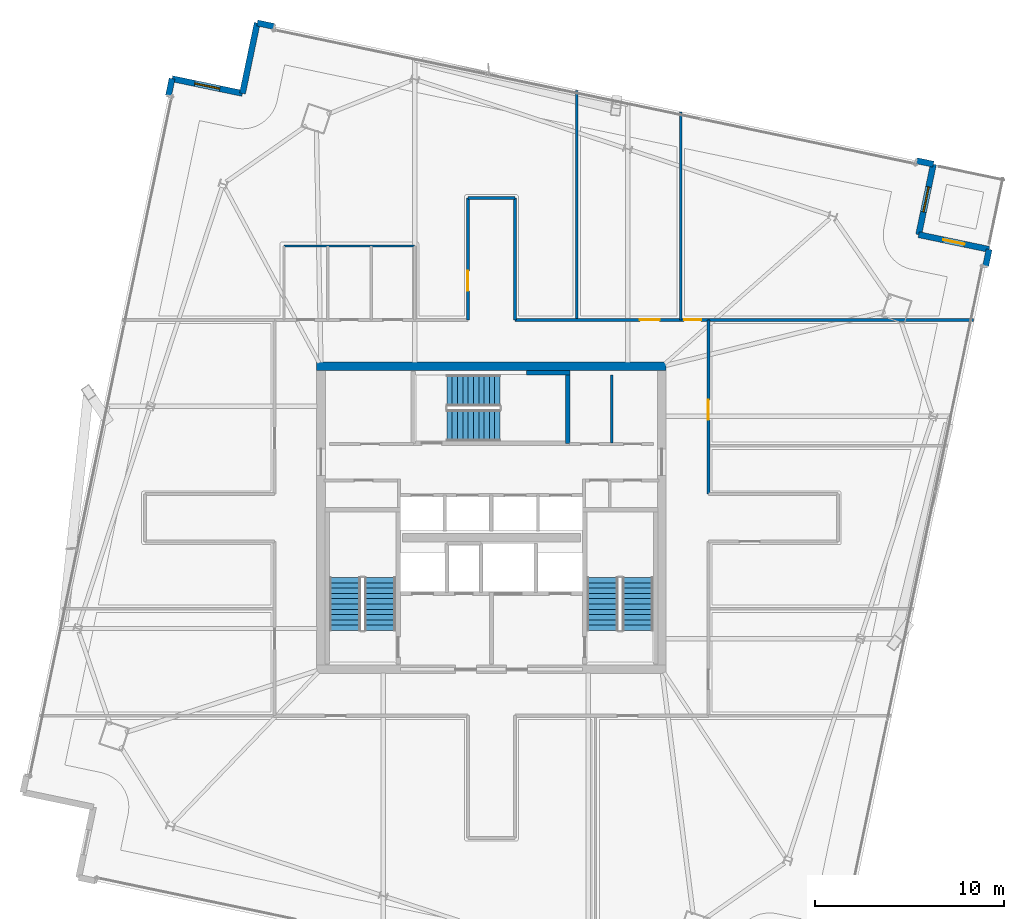
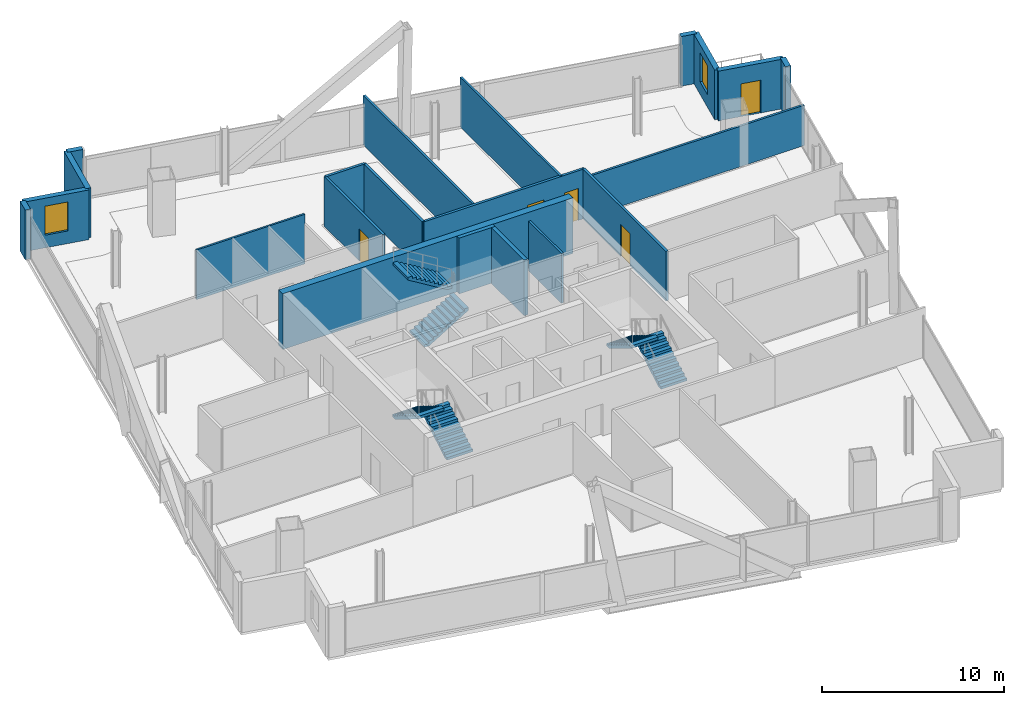
# One storey, part 20 of 24: 21 walls, 6 stair flights, 5 doors, 2 windows, 7 openings, 3 elements without a shape of their own.
"""IFC4 building model written with IfcOpenShell, lengths in metres."""

from ifc_helpers import new_model, si_unit, direction, frame, frame_2d, origin, place, context, subcontext, project, spatial, polyline, rectangle, outline, extrude, material, layer, layer_set, type_object, element, fill, aggregate, save


model = new_model("IFC4")

# Units and contexts
model_context = context("Model", 3, precision=1e-05, world=origin(), true_north=direction((0.0, 1.0)))
body_context = subcontext(model_context, "Body", "Model", "MODEL_VIEW")
ifc_project = project(units=[si_unit("LENGTHUNIT", "METRE"), si_unit("AREAUNIT", "SQUARE_METRE"), si_unit("VOLUMEUNIT", "CUBIC_METRE"), si_unit("PLANEANGLEUNIT", "RADIAN"), si_unit("MASSUNIT", "GRAM", prefix="KILO")], contexts=[model_context])

# Site, building, storey
site_placement = place(None, origin())
site = spatial("IfcSite", under=ifc_project, at=site_placement, CompositionType="ELEMENT")
building_placement = place(site_placement, origin())
building = spatial("IfcBuilding", under=site, at=building_placement, Name="Haldenkirk Collegiate Tower", CompositionType="ELEMENT")
storey_placement = place(building_placement, frame((0.0, 0.0, 289.949951171875)))
storey = spatial("IfcBuildingStorey", under=building, at=storey_placement, Name="L73", CompositionType="ELEMENT", Elevation=289.949951171875)

# Walls
ifc_material_1 = material(Name="Concrete f'c 55 MPa", Category="concrete")
ifc_layer_1 = layer(ifc_material_1, 0.449951171875)
ifc_layer_set_1 = layer_set([ifc_layer_1], Name="Concrete f'c 55 MPa")
wall_type_1 = type_object("IfcWallType", Name="WL-CORE-450", PredefinedType="SHEAR", material=ifc_layer_set_1)
wall_1_placement = place(storey_placement, frame((26.77490234375, 34.0, 0.0), z_axis=(0.0, 0.0, 1.0), x_axis=(1.0, 0.0, 0.0)))
element("IfcWall", 1, at=wall_1_placement, inside=storey, type_object=wall_type_1, Name="L73 central core shear wall N", PredefinedType="SHEAR", context=body_context, shape_type="SweptSolid", body=[
    extrude(rectangle(XDim=18.4501953125, YDim=0.449951171875, at=frame_2d((9.22509765625, 0.0))), origin(), (0.0, 0.0, 1.0), 3.75),
])
ifc_material_2 = material(Name="Precast concrete f'c 40 MPa", Category="concrete")
ifc_layer_2 = layer(ifc_material_2, 0.320068359375)
ifc_layer_set_2 = layer_set([ifc_layer_2], Name="Precast concrete f'c 40 MPa")
wall_type_2 = type_object("IfcWallType", Name="WL-EXT-TWR-320", PredefinedType="STANDARD", material=ifc_layer_set_2)
wall_2_placement = place(storey_placement, frame((62.279296875, 40.175537109375, 0.0), z_axis=(0.0, 0.0, 1.0), x_axis=(-0.204560917907, -0.978853835292, 0.0)))
element("IfcWall", 2, at=wall_2_placement, inside=storey, type_object=wall_type_2, Name="L73 precast corner pier SL", PredefinedType="STANDARD", context=body_context, shape_type="SweptSolid", body=[
    extrude(rectangle(XDim=0.89990234375, YDim=0.320068359375, at=frame_2d((0.449951171875, 0.0))), origin(), (0.0, 0.0, 1.0), 3.340087890625),
])

# Wall, opening, door
wall_3_placement = place(storey_placement, frame((58.5595703125, 40.95263671875, 0.0), z_axis=(0.0, 0.0, 1.0), x_axis=(0.978866954506, -0.204498130493, 0.0)))
wall_3 = element("IfcWall", 3, at=wall_3_placement, inside=storey, type_object=wall_type_2, Name="L73 bronze precast notch wall 02", PredefinedType="STANDARD", context=body_context, shape_type="SweptSolid", body=[
    extrude(rectangle(XDim=3.800048828125, YDim=0.320068359375, at=frame_2d((1.89990234375, 0.0))), origin(), (0.0, 0.0, 1.0), 3.340087890625),
])
opening_1_placement = place(wall_3_placement, frame((1.324951171875, 0.0, 0.0)))
opening_1 = element("IfcOpeningElement", 4, at=opening_1_placement, cuts=wall_3, Name="Opening D-ST11", PredefinedType="OPENING", context=body_context, shape_type="SweptSolid", body=[
    extrude(rectangle(XDim=1.14990234375, YDim=2.199951171875, at=frame_2d((0.574951171875, 1.10009765625))), frame((0.0, 0.169921875, 0.0), z_axis=(0.0, -1.0, 0.0), x_axis=(1.0, 0.0, 0.0)), (0.0, 0.0, 1.0), 0.340087890625),
])
ifc_material_3 = material(Name="Anodised architectural bronze aluminium", Category="aluminium")
ifc_layer_3 = layer(ifc_material_3, 0.080078125)
ifc_layer_set_3 = layer_set([ifc_layer_3], Name="Anodised architectural bronze aluminium")
door_type_1 = type_object("IfcDoorType", Name="DR-EXT-STER-1150", OperationType="NOTDEFINED", PredefinedType="DOOR", material=ifc_layer_set_3)
door_1_placement = place(opening_1_placement, origin())
door_1 = element("IfcDoor", 5, at=door_1_placement, inside=storey, type_object=door_type_1, Name="L73 spiralling terrace door", OperationType="SINGLE_SWING_RIGHT", OverallHeight=2.199951171875, OverallWidth=1.14990234375, PredefinedType="DOOR", context=body_context, shape_type="SweptSolid", body=[
    extrude(rectangle(XDim=1.14990234375, YDim=2.199951171875, at=frame_2d((0.574951171875, 1.10009765625))), frame((0.0, 0.02490234375, 0.0), z_axis=(0.0, -1.0, 0.0), x_axis=(1.0, 0.0, 0.0)), (0.0, 0.0, 1.0), 0.050048828125),
])
fill(opening_1, door_1)

# Wall, opening, window
wall_4_placement = place(storey_placement, frame((59.336669921875, 44.67236328125, 0.0), z_axis=(0.0, 0.0, 1.0), x_axis=(-0.204498130493, -0.978866954506, 0.0)))
wall_4 = element("IfcWall", 6, at=wall_4_placement, inside=storey, type_object=wall_type_2, Name="L73 bronze precast notch wall 03", PredefinedType="STANDARD", context=body_context, shape_type="SweptSolid", body=[
    extrude(rectangle(XDim=3.800048828125, YDim=0.320068359375, at=frame_2d((1.89990234375, 0.0))), origin(), (0.0, 0.0, 1.0), 3.340087890625),
])
opening_2_placement = place(wall_4_placement, frame((1.22509765625, 0.0, 0.85009765625)))
opening_2 = element("IfcOpeningElement", 7, at=opening_2_placement, cuts=wall_4, Name="Opening W-07", PredefinedType="OPENING", context=body_context, shape_type="SweptSolid", body=[
    extrude(rectangle(XDim=1.35009765625, YDim=1.949951171875, at=frame_2d((0.675048828125, 0.97509765625))), frame((0.0, 0.169921875, 0.0), z_axis=(0.0, -1.0, 0.0), x_axis=(1.0, 0.0, 0.0)), (0.0, 0.0, 1.0), 0.340087890625),
])
ifc_material_4 = material(Name="Low-E argon triple insulating glass", Category="glass")
ifc_layer_4 = layer(ifc_material_4, 0.090087890625)
ifc_layer_set_4 = layer_set([ifc_layer_4], Name="Low-E argon triple insulating glass")
window_type = type_object("IfcWindowType", Name="WN-Z5-1350X1950", PartitioningType="SINGLE_PANEL", PredefinedType="WINDOW", material=ifc_layer_set_4)
window_1_placement = place(opening_2_placement, origin())
window_1 = element("IfcWindow", 8, at=window_1_placement, inside=storey, type_object=window_type, Name="L73 precast-frame academic window 2", OverallHeight=1.949951171875, OverallWidth=1.35009765625, PartitioningType="SINGLE_PANEL", PredefinedType="WINDOW", context=body_context, shape_type="SweptSolid", body=[
    extrude(rectangle(XDim=1.35009765625, YDim=1.949951171875, at=frame_2d((0.675048828125, 0.97509765625))), frame((0.0, 0.030029296875, 0.0), z_axis=(0.0, -1.0, 0.0), x_axis=(1.0, 0.0, 0.0)), (0.0, 0.0, 1.0), 0.06005859375),
])
fill(opening_2, window_1)

# Walls
for number, where, z_axis, x_axis, name in (
    (9, (23.63232421875, 52.13134765625, 0.0), (0.0, 0.0, 1.0), (0.978865183405, -0.204506608004, 0.0), "L73 precast corner pier EL"),
    (10, (58.45556640625, 44.8564453125, 0.0), (0.0, 0.0, 1.0), (0.978865183405, -0.204506608004, 0.0), "L73 precast corner pier ER"),
):
    element("IfcWall", number, at=place(storey_placement, frame(where, z_axis=z_axis, x_axis=x_axis)), inside=storey, type_object=wall_type_2, Name=name, PredefinedType="STANDARD", context=body_context, shape_type="SweptSolid", body=[
        extrude(rectangle(XDim=0.900146484375, YDim=0.320068359375, at=frame_2d((0.4501953125, 0.0))), origin(), (0.0, 0.0, 1.0), 3.340087890625),
    ])
wall_5_placement = place(storey_placement, frame((22.855224609375, 48.41162109375, 0.0), z_axis=(0.0, 0.0, 1.0), x_axis=(0.204498130493, 0.978866954506, 0.0)))
element("IfcWall", 11, at=wall_5_placement, inside=storey, type_object=wall_type_2, Name="L73 bronze precast notch wall 05", PredefinedType="STANDARD", context=body_context, shape_type="SweptSolid", body=[
    extrude(rectangle(XDim=3.800048828125, YDim=0.320068359375, at=frame_2d((1.89990234375, 0.0))), origin(), (0.0, 0.0, 1.0), 3.340087890625),
])

# Wall, opening, window
wall_6_placement = place(storey_placement, frame((19.135498046875, 49.188720703125, 0.0), z_axis=(0.0, 0.0, 1.0), x_axis=(0.978866954506, -0.204498130493, 0.0)))
wall_6 = element("IfcWall", 12, at=wall_6_placement, inside=storey, type_object=wall_type_2, Name="L73 bronze precast notch wall 06", PredefinedType="STANDARD", context=body_context, shape_type="SweptSolid", body=[
    extrude(rectangle(XDim=3.800048828125, YDim=0.320068359375, at=frame_2d((1.89990234375, 0.0))), origin(), (0.0, 0.0, 1.0), 3.340087890625),
])
opening_3_placement = place(wall_6_placement, frame((1.22509765625, 0.0, 0.85009765625)))
opening_3 = element("IfcOpeningElement", 13, at=opening_3_placement, cuts=wall_6, Name="Opening W-07", PredefinedType="OPENING", context=body_context, shape_type="SweptSolid", body=[
    extrude(rectangle(XDim=1.35009765625, YDim=1.949951171875, at=frame_2d((0.675048828125, 0.97509765625))), frame((0.0, 0.169921875, 0.0), z_axis=(0.0, -1.0, 0.0), x_axis=(1.0, 0.0, 0.0)), (0.0, 0.0, 1.0), 0.340087890625),
])
window_2_placement = place(opening_3_placement, origin())
window_2 = element("IfcWindow", 14, at=window_2_placement, inside=storey, type_object=window_type, Name="L73 precast-frame academic window 5", OverallHeight=1.949951171875, OverallWidth=1.35009765625, PartitioningType="SINGLE_PANEL", PredefinedType="WINDOW", context=body_context, shape_type="SweptSolid", body=[
    extrude(rectangle(XDim=1.35009765625, YDim=1.949951171875, at=frame_2d((0.675048828125, 0.97509765625))), frame((0.0, 0.030029296875, 0.0), z_axis=(0.0, -1.0, 0.0), x_axis=(1.0, 0.0, 0.0)), (0.0, 0.0, 1.0), 0.06005859375),
])
fill(opening_3, window_2)

# Wall
wall_7_placement = place(storey_placement, frame((18.95166015625, 48.3076171875, 0.0), z_axis=(0.0, 0.0, 1.0), x_axis=(0.20424670106, 0.978919447711, 0.0)))
element("IfcWall", 15, at=wall_7_placement, inside=storey, type_object=wall_type_2, Name="L73 precast corner pier NR", PredefinedType="STANDARD", context=body_context, shape_type="SweptSolid", body=[
    extrude(rectangle(XDim=0.900146484375, YDim=0.320068359375, at=frame_2d((0.4501953125, 0.0))), origin(), (0.0, 0.0, 1.0), 3.340087890625),
])

# Wall, openings, doors
ifc_material_5 = material(Name="Acoustic fire-rated gypsum partition", Category="concrete")
ifc_layer_5 = layer(ifc_material_5, 0.159912109375)
ifc_layer_set_5 = layer_set([ifc_layer_5], Name="Acoustic fire-rated gypsum partition")
wall_type_3 = type_object("IfcWallType", Name="WL-INT-CORR-160", PredefinedType="PARTITIONING", material=ifc_layer_set_5)
wall_8_placement = place(storey_placement, frame((37.25, 36.449951171875, 0.0), z_axis=(0.0, 0.0, 1.0), x_axis=(1.0, 0.0, 0.0)))
wall_8 = element("IfcWall", 16, at=wall_8_placement, inside=storey, type_object=wall_type_3, Name="L73 interior partition IW-L73-CN2", PredefinedType="PARTITIONING", context=body_context, shape_type="SweptSolid", body=[
    extrude(rectangle(XDim=10.25, YDim=0.159912109375, at=frame_2d((5.125, 0.0))), origin(), (0.0, 0.0, 1.0), 3.340087890625),
])
opening_4_placement = place(wall_8_placement, frame((6.5849609375, 0.0, 0.0)))
opening_4 = element("IfcOpeningElement", 17, at=opening_4_placement, cuts=wall_8, Name="Opening D-09", PredefinedType="OPENING", context=body_context, shape_type="SweptSolid", body=[
    extrude(rectangle(XDim=1.050048828125, YDim=2.14990234375, at=frame_2d((0.52490234375, 1.074951171875))), frame((0.0, 0.08984375, 0.0), z_axis=(0.0, -1.0, 0.0), x_axis=(1.0, 0.0, 0.0)), (0.0, 0.0, 1.0), 0.179931640625),
])
opening_5_placement = place(wall_8_placement, frame((8.925048828125, 0.0, 0.0)))
opening_5 = element("IfcOpeningElement", 18, at=opening_5_placement, cuts=wall_8, Name="Opening D-11", PredefinedType="OPENING", context=body_context, shape_type="SweptSolid", body=[
    extrude(rectangle(XDim=0.89990234375, YDim=2.14990234375, at=frame_2d((0.449951171875, 1.074951171875))), frame((0.0, 0.08984375, 0.0), z_axis=(0.0, -1.0, 0.0), x_axis=(1.0, 0.0, 0.0)), (0.0, 0.0, 1.0), 0.179931640625),
])
ifc_material_6 = material(Name="Solid-core architectural oak fire door", Category="wood")
ifc_layer_6 = layer(ifc_material_6, 0.06005859375)
ifc_layer_set_6 = layer_set([ifc_layer_6], Name="Solid-core architectural oak fire door")
door_type_2 = type_object("IfcDoorType", Name="DR-INT-FD60-1050", OperationType="NOTDEFINED", PredefinedType="DOOR", material=ifc_layer_set_6)
door_2_placement = place(opening_4_placement, origin())
door_2 = element("IfcDoor", 19, at=door_2_placement, inside=storey, type_object=door_type_2, Name="L73 Architectural Crit Studio 4 door", OperationType="SINGLE_SWING_RIGHT", OverallHeight=2.14990234375, OverallWidth=1.050048828125, PredefinedType="DOOR", context=body_context, shape_type="SweptSolid", body=[
    extrude(rectangle(XDim=1.050048828125, YDim=2.14990234375, at=frame_2d((0.52490234375, 1.074951171875))), frame((0.0, 0.02490234375, 0.0), z_axis=(0.0, -1.0, 0.0), x_axis=(1.0, 0.0, 0.0)), (0.0, 0.0, 1.0), 0.050048828125),
])
fill(opening_4, door_2)
ifc_layer_7 = layer(ifc_material_6, 0.06005859375)
ifc_layer_set_7 = layer_set([ifc_layer_7], Name="Solid-core architectural oak fire door")
door_type_3 = type_object("IfcDoorType", Name="DR-INT-FD60-900", OperationType="NOTDEFINED", PredefinedType="DOOR", material=ifc_layer_set_7)
door_3_placement = place(opening_5_placement, origin())
door_3 = element("IfcDoor", 20, at=door_3_placement, inside=storey, type_object=door_type_3, Name="L73 Urbanism Pin-Up Studio 5 door", OperationType="SINGLE_SWING_LEFT", OverallHeight=2.14990234375, OverallWidth=0.89990234375, PredefinedType="DOOR", context=body_context, shape_type="SweptSolid", body=[
    extrude(rectangle(XDim=0.89990234375, YDim=2.14990234375, at=frame_2d((0.449951171875, 1.074951171875))), frame((0.0, 0.02490234375, 0.0), z_axis=(0.0, -1.0, 0.0), x_axis=(1.0, 0.0, 0.0)), (0.0, 0.0, 1.0), 0.050048828125),
])
fill(opening_5, door_3)

# Wall, opening, door
wall_9_placement = place(storey_placement, frame((47.449951171875, 27.25, 0.0), z_axis=(0.0, 0.0, 1.0), x_axis=(0.0, 1.0, 0.0)))
wall_9 = element("IfcWall", 21, at=wall_9_placement, inside=storey, type_object=wall_type_3, Name="L73 interior partition IW-L73-CE2", PredefinedType="PARTITIONING", context=body_context, shape_type="SweptSolid", body=[
    extrude(rectangle(XDim=9.199951171875, YDim=0.159912109375, at=frame_2d((4.60009765625, 0.0))), origin(), (0.0, 0.0, 1.0), 3.340087890625),
])
opening_6_placement = place(wall_9_placement, frame((3.927001953125, 0.0, 0.0)))
opening_6 = element("IfcOpeningElement", 22, at=opening_6_placement, cuts=wall_9, Name="Opening D-09", PredefinedType="OPENING", context=body_context, shape_type="SweptSolid", body=[
    extrude(rectangle(XDim=1.050048828125, YDim=2.14990234375, at=frame_2d((0.52490234375, 1.074951171875))), frame((0.0, 0.08984375, 0.0), z_axis=(0.0, -1.0, 0.0), x_axis=(1.0, 0.0, 0.0)), (0.0, 0.0, 1.0), 0.179931640625),
])
door_4_placement = place(opening_6_placement, origin())
door_4 = element("IfcDoor", 23, at=door_4_placement, inside=storey, type_object=door_type_2, Name="L73 Architectural Crit Studio 10 door", OperationType="SINGLE_SWING_RIGHT", OverallHeight=2.14990234375, OverallWidth=1.050048828125, PredefinedType="DOOR", context=body_context, shape_type="SweptSolid", body=[
    extrude(rectangle(XDim=1.050048828125, YDim=2.14990234375, at=frame_2d((0.52490234375, 1.074951171875))), frame((0.0, 0.02490234375, 0.0), z_axis=(0.0, -1.0, 0.0), x_axis=(1.0, 0.0, 0.0)), (0.0, 0.0, 1.0), 0.050048828125),
])
fill(opening_6, door_4)

wall_10_placement = place(storey_placement, frame((34.75, 36.449951171875, 0.0), z_axis=(0.0, 0.0, 1.0), x_axis=(0.0, 1.0, 0.0)))
wall_10 = element("IfcWall", 24, at=wall_10_placement, inside=storey, type_object=wall_type_3, Name="L73 interior partition IW-L73-NPW", PredefinedType="PARTITIONING", context=body_context, shape_type="SweptSolid", body=[
    extrude(rectangle(XDim=6.449951171875, YDim=0.159912109375, at=frame_2d((3.22509765625, 0.0))), origin(), (0.0, 0.0, 1.0), 3.340087890625),
])
opening_7_placement = place(wall_10_placement, frame((1.5390625, 0.0, 0.0)))
opening_7 = element("IfcOpeningElement", 25, at=opening_7_placement, cuts=wall_10, Name="Opening D-09", PredefinedType="OPENING", context=body_context, shape_type="SweptSolid", body=[
    extrude(rectangle(XDim=1.050048828125, YDim=2.14990234375, at=frame_2d((0.52490234375, 1.074951171875))), frame((0.0, 0.08984375, 0.0), z_axis=(0.0, -1.0, 0.0), x_axis=(1.0, 0.0, 0.0)), (0.0, 0.0, 1.0), 0.179931640625),
])
door_5_placement = place(opening_7_placement, origin())
door_5 = element("IfcDoor", 26, at=door_5_placement, inside=storey, type_object=door_type_2, Name="L73 Collegiate Supply Shop 3 door", OperationType="SINGLE_SWING_LEFT", OverallHeight=2.14990234375, OverallWidth=1.050048828125, PredefinedType="DOOR", context=body_context, shape_type="SweptSolid", body=[
    extrude(rectangle(XDim=1.050048828125, YDim=2.14990234375, at=frame_2d((0.52490234375, 1.074951171875))), frame((0.0, 0.02490234375, 0.0), z_axis=(0.0, -1.0, 0.0), x_axis=(1.0, 0.0, 0.0)), (0.0, 0.0, 1.0), 0.050048828125),
])
fill(opening_7, door_5)

# Walls
wall_11_placement = place(storey_placement, frame((37.25, 36.449951171875, 0.0), z_axis=(0.0, 0.0, 1.0), x_axis=(0.0, 1.0, 0.0)))
element("IfcWall", 27, at=wall_11_placement, inside=storey, type_object=wall_type_3, Name="L73 interior partition IW-L73-NPE", PredefinedType="PARTITIONING", context=body_context, shape_type="SweptSolid", body=[
    extrude(rectangle(XDim=6.449951171875, YDim=0.159912109375, at=frame_2d((3.22509765625, 0.0))), origin(), (0.0, 0.0, 1.0), 3.340087890625),
])
wall_12_placement = place(storey_placement, frame((34.75, 42.89990234375, 0.0), z_axis=(0.0, 0.0, 1.0), x_axis=(1.0, 0.0, 0.0)))
element("IfcWall", 28, at=wall_12_placement, inside=storey, type_object=wall_type_3, Name="L73 interior partition IW-L73-NPN", PredefinedType="PARTITIONING", context=body_context, shape_type="SweptSolid", body=[
    extrude(rectangle(XDim=2.5, YDim=0.159912109375, at=frame_2d((1.25, 0.0))), origin(), (0.0, 0.0, 1.0), 3.340087890625),
])
ifc_layer_8 = layer(ifc_material_5, 0.139892578125)
ifc_layer_set_8 = layer_set([ifc_layer_8], Name="Acoustic fire-rated gypsum partition")
wall_type_4 = type_object("IfcWallType", Name="WL-INT-DIV-140", PredefinedType="PARTITIONING", material=ifc_layer_set_8)
wall_13_placement = place(storey_placement, frame((42.35009765625, 29.949951171875, 0.0), z_axis=(0.0, 0.0, 1.0), x_axis=(0.0, 1.0, 0.0)))
element("IfcWall", 29, at=wall_13_placement, inside=storey, type_object=wall_type_4, Name="L73 interior partition IW-L73-PMDIV", PredefinedType="PARTITIONING", context=body_context, shape_type="SweptSolid", body=[
    extrude(rectangle(XDim=3.60009765625, YDim=0.139892578125, at=frame_2d((1.800048828125, 0.0))), origin(), (0.0, 0.0, 1.0), 3.340087890625),
])
wall_14_placement = place(storey_placement, frame((47.449951171875, 36.449951171875, 0.0), z_axis=(0.0, 0.0, 1.0), x_axis=(1.0, 0.0, 0.0)))
element("IfcWall", 30, at=wall_14_placement, inside=storey, type_object=wall_type_4, Name="L73 interior partition IW-L73-BEN", PredefinedType="PARTITIONING", context=body_context, shape_type="SweptSolid", body=[
    extrude(rectangle(XDim=14.010009765625, YDim=0.139892578125, at=frame_2d((7.0048828125, 0.0))), origin(), (0.0, 0.0, 1.0), 2.718017578125),
])
wall_15_placement = place(storey_placement, frame((40.5, 36.449951171875, 0.0), z_axis=(0.0, 0.0, 1.0), x_axis=(0.0, 1.0, 0.0)))
element("IfcWall", 31, at=wall_15_placement, inside=storey, type_object=wall_type_4, Name="L73 interior partition IW-L73-RN1", PredefinedType="PARTITIONING", context=body_context, shape_type="SweptSolid", body=[
    extrude(rectangle(XDim=12.11669921875, YDim=0.139892578125, at=frame_2d((6.058349609375, 0.0))), origin(), (0.0, 0.0, 1.0), 3.340087890625),
])
wall_16_placement = place(storey_placement, frame((46.0, 36.449951171875, 0.0), z_axis=(0.0, 0.0, 1.0), x_axis=(0.0, 1.0, 0.0)))
element("IfcWall", 32, at=wall_16_placement, inside=storey, type_object=wall_type_4, Name="L73 interior partition IW-L73-RN2", PredefinedType="PARTITIONING", context=body_context, shape_type="SweptSolid", body=[
    extrude(rectangle(XDim=10.9677734375, YDim=0.139892578125, at=frame_2d((5.48388671875, 0.0))), origin(), (0.0, 0.0, 1.0), 3.340087890625),
])
ifc_layer_9 = layer(ifc_material_5, 0.1201171875)
ifc_layer_set_9 = layer_set([ifc_layer_9], Name="Acoustic fire-rated gypsum partition")
wall_type_5 = type_object("IfcWallType", Name="WL-INT-WET-120", PredefinedType="PARTITIONING", material=ifc_layer_set_9)
wall_17_placement = place(storey_placement, frame((25.050048828125, 40.35009765625, 0.0), z_axis=(0.0, 0.0, 1.0), x_axis=(1.0, 0.0, 0.0)))
element("IfcWall", 33, at=wall_17_placement, inside=storey, type_object=wall_type_5, Name="L73 interior partition IW-L73-WCB", PredefinedType="PARTITIONING", context=body_context, shape_type="SweptSolid", body=[
    extrude(rectangle(XDim=6.89990234375, YDim=0.1201171875, at=frame_2d((3.449951171875, 0.0))), origin(), (0.0, 0.0, 1.0), 3.340087890625),
])
ifc_layer_10 = layer(ifc_material_1, 0.239990234375)
ifc_layer_set_10 = layer_set([ifc_layer_10], Name="Concrete f'c 55 MPa")
wall_type_6 = type_object("IfcWallType", Name="WL-SHAFT-240", PredefinedType="SHEAR", material=ifc_layer_set_10)
wall_18_placement = place(storey_placement, frame((40.02001953125, 29.929931640625, 0.0), z_axis=(0.0, 0.0, 1.0), x_axis=(0.0, 1.0, 0.0)))
element("IfcWall", 34, at=wall_18_placement, inside=storey, type_object=wall_type_6, Name="L73 stair shaft shear wall SW-L73-ST3E", PredefinedType="SHEAR", context=body_context, shape_type="SweptSolid", body=[
    extrude(rectangle(XDim=3.85009765625, YDim=0.239990234375, at=frame_2d((1.925048828125, 0.0))), origin(), (0.0, 0.0, 1.0), 3.75),
])
wall_19_placement = place(storey_placement, frame((37.85009765625, 33.659912109375, 0.0), z_axis=(0.0, 0.0, 1.0), x_axis=(1.0, 0.0, 0.0)))
element("IfcWall", 35, at=wall_19_placement, inside=storey, type_object=wall_type_6, Name="L73 stair shaft shear wall SW-L73-ST3N", PredefinedType="SHEAR", context=body_context, shape_type="SweptSolid", body=[
    extrude(rectangle(XDim=2.289794921875, YDim=0.239990234375, at=frame_2d((1.14501953125, 0.0))), origin(), (0.0, 0.0, 1.0), 3.75),
])

# Stair, stair flights
ifc_material_7 = material(Name="Concrete f'c 40 MPa", Category="concrete")
stair_type = type_object("IfcStairType", Name="STR-DOGLEG-1650", PredefinedType="HALF_TURN_STAIR", material=ifc_material_7)
stair_1_placement = place(storey_placement, origin())
stair_1 = element("IfcStair", 36, at=stair_1_placement, inside=storey, type_object=stair_type, Name="L73 Core Exit Stair ST-1", PredefinedType="HALF_TURN_STAIR")
stair_flight_type = type_object("IfcStairFlightType", Name="STF-FLIGHT-1650", PredefinedType="STRAIGHT", material=ifc_material_7)
stair_flight_1_placement = place(storey_placement, frame((30.125, 20.050048828125, 0.0), z_axis=(0.0, 0.0, 1.0), x_axis=(0.0, 1.0, 0.0)))
stair_flight_1 = element("IfcStairFlight", 37, at=stair_flight_1_placement, type_object=stair_flight_type, Name="ST-1 flight 1", NumberOfRisers=11, NumberOfTreads=10, PredefinedType="STRAIGHT", RiserHeight=0.170454545, TreadLength=0.28, context=body_context, shape_type="SweptSolid", body=[
    extrude(outline(polyline([(0.0, 0.0), (0.0, 0.17041015625), (0.280029296875, 0.17041015625), (0.280029296875, 0.3408203125), (0.56005859375, 0.3408203125), (0.56005859375, 0.511474609375), (0.840087890625, 0.511474609375), (0.840087890625, 0.681884765625), (1.1201171875, 0.681884765625), (1.1201171875, 0.852294921875), (1.39990234375, 0.852294921875), (1.39990234375, 1.022705078125), (1.679931640625, 1.022705078125), (1.679931640625, 1.193115234375), (1.9599609375, 1.193115234375), (1.9599609375, 1.363525390625), (2.239990234375, 1.363525390625), (2.239990234375, 1.5341796875), (2.52001953125, 1.5341796875), (2.52001953125, 1.70458984375), (2.800048828125, 1.70458984375), (2.800048828125, 1.875), (2.800048828125, 1.529052734375), (0.288330078125, 0.0), (0.0, 0.0)])), frame((0.0, 0.824951171875, 0.0), z_axis=(0.0, -1.0, 0.0), x_axis=(1.0, 0.0, 0.0)), (0.0, 0.0, 1.0), 1.64990234375),
])
stair_flight_2_placement = place(storey_placement, frame((28.27490234375, 22.85009765625, 1.875), z_axis=(0.0, 0.0, 1.0), x_axis=(0.0, -1.0, 0.0)))
stair_flight_2 = element("IfcStairFlight", 38, at=stair_flight_2_placement, type_object=stair_flight_type, Name="ST-1 flight 2", NumberOfRisers=11, NumberOfTreads=10, PredefinedType="STRAIGHT", RiserHeight=0.170454545, TreadLength=0.28, context=body_context, shape_type="SweptSolid", body=[
    extrude(outline(polyline([(0.0, 0.0), (0.0, 0.17041015625), (0.280029296875, 0.17041015625), (0.280029296875, 0.3408203125), (0.56005859375, 0.3408203125), (0.56005859375, 0.511474609375), (0.840087890625, 0.511474609375), (0.840087890625, 0.681884765625), (1.1201171875, 0.681884765625), (1.1201171875, 0.852294921875), (1.39990234375, 0.852294921875), (1.39990234375, 1.022705078125), (1.679931640625, 1.022705078125), (1.679931640625, 1.193115234375), (1.9599609375, 1.193115234375), (1.9599609375, 1.363525390625), (2.239990234375, 1.363525390625), (2.239990234375, 1.5341796875), (2.52001953125, 1.5341796875), (2.52001953125, 1.70458984375), (2.800048828125, 1.70458984375), (2.800048828125, 1.875), (2.800048828125, 1.529052734375), (0.288330078125, 0.0), (0.0, 0.0)])), frame((0.0, 0.824951171875, 0.0), z_axis=(0.0, -1.0, 0.0), x_axis=(1.0, 0.0, 0.0)), (0.0, 0.0, 1.0), 1.64990234375),
])
aggregate(stair_1, [stair_flight_1, stair_flight_2])

stair_2_placement = place(storey_placement, origin())
stair_2 = element("IfcStair", 39, at=stair_2_placement, inside=storey, type_object=stair_type, Name="L73 Core Exit Stair ST-2", PredefinedType="HALF_TURN_STAIR")
stair_flight_3_placement = place(storey_placement, frame((43.72509765625, 20.050048828125, 0.0), z_axis=(0.0, 0.0, 1.0), x_axis=(0.0, 1.0, 0.0)))
stair_flight_3 = element("IfcStairFlight", 40, at=stair_flight_3_placement, type_object=stair_flight_type, Name="ST-2 flight 1", NumberOfRisers=11, NumberOfTreads=10, PredefinedType="STRAIGHT", RiserHeight=0.170454545, TreadLength=0.28, context=body_context, shape_type="SweptSolid", body=[
    extrude(outline(polyline([(0.0, 0.0), (0.0, 0.17041015625), (0.280029296875, 0.17041015625), (0.280029296875, 0.3408203125), (0.56005859375, 0.3408203125), (0.56005859375, 0.511474609375), (0.840087890625, 0.511474609375), (0.840087890625, 0.681884765625), (1.1201171875, 0.681884765625), (1.1201171875, 0.852294921875), (1.39990234375, 0.852294921875), (1.39990234375, 1.022705078125), (1.679931640625, 1.022705078125), (1.679931640625, 1.193115234375), (1.9599609375, 1.193115234375), (1.9599609375, 1.363525390625), (2.239990234375, 1.363525390625), (2.239990234375, 1.5341796875), (2.52001953125, 1.5341796875), (2.52001953125, 1.70458984375), (2.800048828125, 1.70458984375), (2.800048828125, 1.875), (2.800048828125, 1.529052734375), (0.288330078125, 0.0), (0.0, 0.0)])), frame((0.0, 0.824951171875, 0.0), z_axis=(0.0, -1.0, 0.0), x_axis=(1.0, 0.0, 0.0)), (0.0, 0.0, 1.0), 1.64990234375),
])
stair_flight_4_placement = place(storey_placement, frame((41.875, 22.85009765625, 1.875), z_axis=(0.0, 0.0, 1.0), x_axis=(0.0, -1.0, 0.0)))
stair_flight_4 = element("IfcStairFlight", 41, at=stair_flight_4_placement, type_object=stair_flight_type, Name="ST-2 flight 2", NumberOfRisers=11, NumberOfTreads=10, PredefinedType="STRAIGHT", RiserHeight=0.170454545, TreadLength=0.28, context=body_context, shape_type="SweptSolid", body=[
    extrude(outline(polyline([(0.0, 0.0), (0.0, 0.17041015625), (0.280029296875, 0.17041015625), (0.280029296875, 0.3408203125), (0.56005859375, 0.3408203125), (0.56005859375, 0.511474609375), (0.840087890625, 0.511474609375), (0.840087890625, 0.681884765625), (1.1201171875, 0.681884765625), (1.1201171875, 0.852294921875), (1.39990234375, 0.852294921875), (1.39990234375, 1.022705078125), (1.679931640625, 1.022705078125), (1.679931640625, 1.193115234375), (1.9599609375, 1.193115234375), (1.9599609375, 1.363525390625), (2.239990234375, 1.363525390625), (2.239990234375, 1.5341796875), (2.52001953125, 1.5341796875), (2.52001953125, 1.70458984375), (2.800048828125, 1.70458984375), (2.800048828125, 1.875), (2.800048828125, 1.529052734375), (0.288330078125, 0.0), (0.0, 0.0)])), frame((0.0, 0.824951171875, 0.0), z_axis=(0.0, -1.0, 0.0), x_axis=(1.0, 0.0, 0.0)), (0.0, 0.0, 1.0), 1.64990234375),
])
aggregate(stair_2, [stair_flight_3, stair_flight_4])

stair_3_placement = place(storey_placement, origin())
stair_3 = element("IfcStair", 42, at=stair_3_placement, inside=storey, type_object=stair_type, Name="L73 Core Exit Stair ST-3", PredefinedType="HALF_TURN_STAIR")
stair_flight_5_placement = place(storey_placement, frame((33.64990234375, 30.875, 0.0), z_axis=(0.0, 0.0, 1.0), x_axis=(1.0, 0.0, 0.0)))
stair_flight_5 = element("IfcStairFlight", 43, at=stair_flight_5_placement, type_object=stair_flight_type, Name="ST-3 flight 1", NumberOfRisers=11, NumberOfTreads=10, PredefinedType="STRAIGHT", RiserHeight=0.170454545, TreadLength=0.28, context=body_context, shape_type="SweptSolid", body=[
    extrude(outline(polyline([(0.0, 0.0), (0.0, 0.17041015625), (0.280029296875, 0.17041015625), (0.280029296875, 0.3408203125), (0.56005859375, 0.3408203125), (0.56005859375, 0.511474609375), (0.840087890625, 0.511474609375), (0.840087890625, 0.681884765625), (1.1201171875, 0.681884765625), (1.1201171875, 0.852294921875), (1.39990234375, 0.852294921875), (1.39990234375, 1.022705078125), (1.679931640625, 1.022705078125), (1.679931640625, 1.193115234375), (1.9599609375, 1.193115234375), (1.9599609375, 1.363525390625), (2.239990234375, 1.363525390625), (2.239990234375, 1.5341796875), (2.52001953125, 1.5341796875), (2.52001953125, 1.70458984375), (2.800048828125, 1.70458984375), (2.800048828125, 1.875), (2.800048828125, 1.529052734375), (0.288330078125, 0.0), (0.0, 0.0)])), frame((0.0, 0.824951171875, 0.0), z_axis=(0.0, -1.0, 0.0), x_axis=(1.0, 0.0, 0.0)), (0.0, 0.0, 1.0), 1.64990234375),
])
stair_flight_6_placement = place(storey_placement, frame((36.449951171875, 32.72509765625, 1.875), z_axis=(0.0, 0.0, 1.0), x_axis=(-1.0, 0.0, 0.0)))
stair_flight_6 = element("IfcStairFlight", 44, at=stair_flight_6_placement, type_object=stair_flight_type, Name="ST-3 flight 2", NumberOfRisers=11, NumberOfTreads=10, PredefinedType="STRAIGHT", RiserHeight=0.170454545, TreadLength=0.28, context=body_context, shape_type="SweptSolid", body=[
    extrude(outline(polyline([(0.0, 0.0), (0.0, 0.17041015625), (0.280029296875, 0.17041015625), (0.280029296875, 0.3408203125), (0.56005859375, 0.3408203125), (0.56005859375, 0.511474609375), (0.840087890625, 0.511474609375), (0.840087890625, 0.681884765625), (1.1201171875, 0.681884765625), (1.1201171875, 0.852294921875), (1.39990234375, 0.852294921875), (1.39990234375, 1.022705078125), (1.679931640625, 1.022705078125), (1.679931640625, 1.193115234375), (1.9599609375, 1.193115234375), (1.9599609375, 1.363525390625), (2.239990234375, 1.363525390625), (2.239990234375, 1.5341796875), (2.52001953125, 1.5341796875), (2.52001953125, 1.70458984375), (2.800048828125, 1.70458984375), (2.800048828125, 1.875), (2.800048828125, 1.529052734375), (0.288330078125, 0.0), (0.0, 0.0)])), frame((0.0, 0.824951171875, 0.0), z_axis=(0.0, -1.0, 0.0), x_axis=(1.0, 0.0, 0.0)), (0.0, 0.0, 1.0), 1.64990234375),
])
aggregate(stair_3, [stair_flight_5, stair_flight_6])

save(model, "model.ifc")
